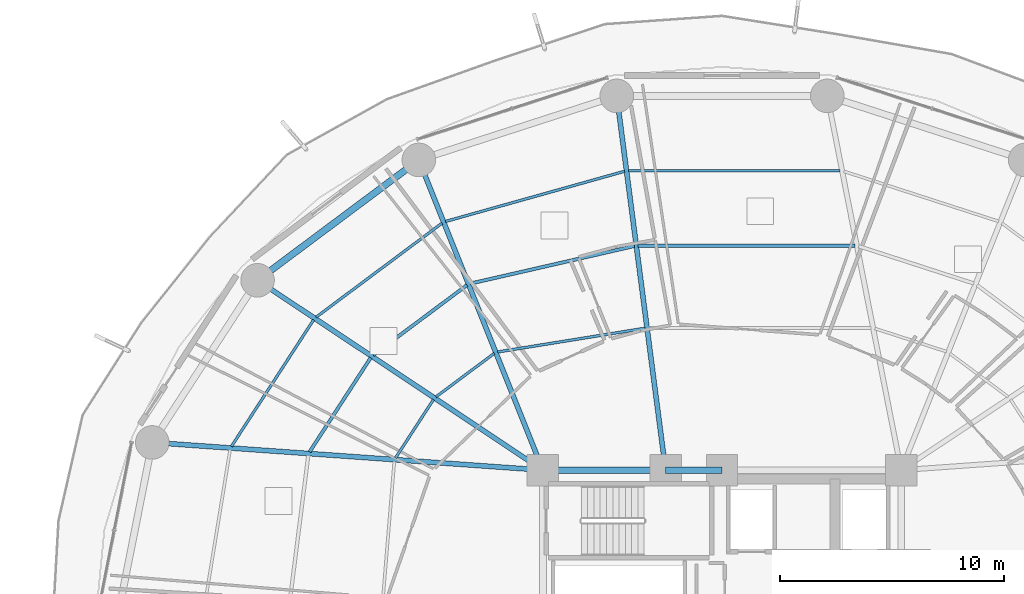
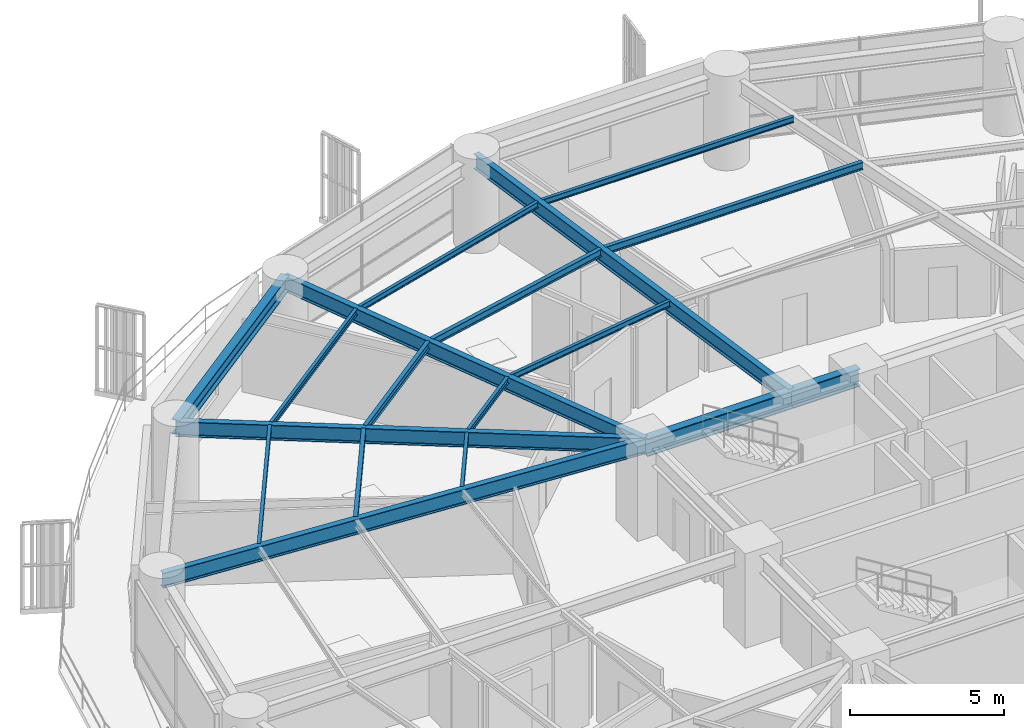
# One storey, part 16 of 31: 18 beams.
"""IFC4 building model written with IfcOpenShell, lengths in metres."""

import ifcopenshell
import ifcopenshell.guid

model = None  # the IFC model being written
_history = None  # IfcOwnerHistory: only IFC2X3 demands one
_inside = {}  # id of a spatial element -> (the spatial element, [elements in it])
_under = {}  # id of a project, library or spatial element -> (it, [spatial elements below it])
_declared = {}  # id of a project -> (the project, [libraries it declares])
_typed = {}  # id of a type object -> (the type object, [elements of that type])
_made_of = {}  # id of a material, layer set ... -> (it, [elements and type objects made of it])


def new_model(schema):
    """Start an empty IFC model of exactly this schema.

    Asked for "IFC4X3", IfcOpenShell would pick the latest addendum, in which some entities
    have other attributes; the version numbers below select the first issue.
    IFC2X3 requires an IfcOwnerHistory on every rooted entity: one is made here for all.
    """
    global model, _history
    if schema == "IFC4X3":
        model = ifcopenshell.file(schema_version=(4, 3, 0, 0))
    else:
        model = ifcopenshell.file(schema=schema)
    _inside.clear()
    _under.clear()
    _declared.clear()
    _typed.clear()
    _made_of.clear()
    _history = None
    if model.schema == "IFC2X3":
        org = make("IfcOrganization", Name="unknown")
        user = make(
            "IfcPersonAndOrganization",
            ThePerson=make("IfcPerson", FamilyName="unknown"),
            TheOrganization=org,
        )
        app = make(
            "IfcApplication",
            ApplicationDeveloper=org,
            Version="unknown",
            ApplicationFullName="unknown",
            ApplicationIdentifier="unknown",
        )
        _history = make(
            "IfcOwnerHistory",
            OwningUser=user,
            OwningApplication=app,
            ChangeAction="ADDED",
            CreationDate=0,
        )
    return model


def make(cls, **values):
    """One entity of the class cls with the attributes given. An attribute that is None is left unset."""
    return model.create_entity(
        cls, **{name: value for name, value in values.items() if value is not None}
    )


def rooted(cls, **values):
    """An entity with a GlobalId (a new one), such as an element, a storey or a relation."""
    return make(cls, GlobalId=ifcopenshell.guid.new(), OwnerHistory=_history, **values)


def si_unit(unit_type, name, prefix=None):
    """IfcSIUnit, for example si_unit("LENGTHUNIT", "METRE", prefix="MILLI")."""
    return make("IfcSIUnit", UnitType=unit_type, Prefix=prefix, Name=name)


def assignment(units):
    """IfcUnitAssignment: the units of a project."""
    return None if units is None else make("IfcUnitAssignment", Units=units)


def point(xyz):
    """IfcCartesianPoint."""
    return None if xyz is None else make("IfcCartesianPoint", Coordinates=xyz)


def direction(xyz):
    """IfcDirection."""
    return None if xyz is None else make("IfcDirection", DirectionRatios=xyz)


def frame(location, z_axis=None, x_axis=None):
    """IfcAxis2Placement3D, a coordinate frame: its origin and axes. An axis left out is left unset."""
    return make(
        "IfcAxis2Placement3D",
        Location=point(location),
        Axis=direction(z_axis),
        RefDirection=direction(x_axis),
    )


def frame_2d(location, x_axis=None):
    """IfcAxis2Placement2D, a coordinate frame in the plane: its origin and x axis."""
    return make(
        "IfcAxis2Placement2D", Location=point(location), RefDirection=direction(x_axis)
    )


def origin():
    """The frame at (0, 0, 0) with its axes left unset."""
    return frame((0.0, 0.0, 0.0))


def origin_2d():
    """The frame at (0, 0) in the plane with its x axis left unset."""
    return frame_2d((0.0, 0.0))


def place(relative_to, where):
    """IfcLocalPlacement: puts the frame where relative to a parent placement (None: the world)."""
    return make(
        "IfcLocalPlacement", PlacementRelTo=relative_to, RelativePlacement=where
    )


def context(
    kind, dimensions, precision=None, world=None, true_north=None, identifier=None
):
    """IfcGeometricRepresentationContext, for example the 3D "Model" context."""
    return make(
        "IfcGeometricRepresentationContext",
        ContextIdentifier=identifier,
        ContextType=kind,
        CoordinateSpaceDimension=dimensions,
        Precision=precision,
        WorldCoordinateSystem=world,
        TrueNorth=true_north,
    )


def subcontext(parent, identifier, kind, view, scale=None):
    """IfcGeometricRepresentationSubContext, for example "Body" below "Model"."""
    return make(
        "IfcGeometricRepresentationSubContext",
        ContextIdentifier=identifier,
        ContextType=kind,
        ParentContext=parent,
        TargetScale=scale,
        TargetView=view,
    )


def project(units=None, contexts=None):
    """IfcProject with its units and contexts."""
    return rooted(
        "IfcProject",
        Name="project",
        RepresentationContexts=contexts,
        UnitsInContext=assignment(units),
    )


def spatial(cls, under=None, at=None, **own):
    """A site, building, storey or space (cls), placed at a placement, below another one or the project."""
    s = rooted(cls, ObjectPlacement=at, **own)
    if under is not None:
        _under.setdefault(under.id(), (under, []))[1].append(s)
    return s


def profile(cls, at=None, kind="AREA", **sizes):
    """A parametric profile (cls). Its sizes go by their IFC names, for example OverallWidth=200.0."""
    return make(cls, ProfileType=kind, Position=at, **sizes)


def i_section(**sizes):
    """IfcIShapeProfileDef."""
    return profile("IfcIShapeProfileDef", **sizes)


def extrude(swept, where, along, depth):
    """IfcExtrudedAreaSolid: the profile swept, set in the frame where, extruded along a direction by depth."""
    return make(
        "IfcExtrudedAreaSolid",
        SweptArea=swept,
        Position=where,
        ExtrudedDirection=direction(along),
        Depth=depth,
    )


def shape(context_of_items, identifier, shape_type, items):
    """IfcShapeRepresentation: the items that make up one representation, for example the "Body"."""
    return make(
        "IfcShapeRepresentation",
        ContextOfItems=context_of_items,
        RepresentationIdentifier=identifier,
        RepresentationType=shape_type,
        Items=items,
    )


def material(Name=None, Category=None):
    """IfcMaterial."""
    return make("IfcMaterial", Name=Name, Category=Category)


def material_profile(
    of_material, cross_section, Name=None, Category=None, Priority=None
):
    """IfcMaterialProfile: a cross section and its material."""
    return make(
        "IfcMaterialProfile",
        Name=Name,
        Material=of_material,
        Profile=cross_section,
        Priority=Priority,
        Category=Category,
    )


def profile_set(profiles, Name=None, composite=None):
    """IfcMaterialProfileSet."""
    return make(
        "IfcMaterialProfileSet",
        Name=Name,
        MaterialProfiles=profiles,
        CompositeProfile=composite,
    )


def made_of(thing, what):
    """Note that an element or type object is made of a material, layer set ...; save() writes the relation."""
    if what is not None:
        _made_of.setdefault(what.id(), (what, []))[1].append(thing)
    return thing


def type_object(cls, material=None, **own):
    """A type object (cls), such as IfcWallType, which elements share."""
    return made_of(rooted(cls, **own), material)


def element(
    cls,
    number,
    at=None,
    inside=None,
    cuts=None,
    type_object=None,
    material=None,
    context=None,
    identifier="Body",
    shape_type=None,
    held_by="IfcProductDefinitionShape",
    body=None,
    shapes=None,
    **own,
):
    """One element of the class cls, such as IfcWall. Its Tag is "e" and its number.

    at: its placement. inside: the storey or other place that contains it. cuts: it is an
    opening in that element (IfcRelVoidsElement). A single representation is given by context,
    identifier, shape_type and body (its items); several are given by shapes. held_by: the class
    of the entity that holds the representations. save() writes the other relations.
    """
    e = rooted(cls, Tag="e%d" % number, ObjectPlacement=at, **own)
    if body is not None:
        shapes = [shape(context, identifier, shape_type, body)]
    if shapes is not None:
        e.Representation = make(held_by, Representations=shapes)
    if inside is not None:
        _inside.setdefault(inside.id(), (inside, []))[1].append(e)
    if cuts is not None:
        rooted(
            "IfcRelVoidsElement", RelatingBuildingElement=cuts, RelatedOpeningElement=e
        )
    if type_object is not None:
        _typed.setdefault(type_object.id(), (type_object, []))[1].append(e)
    return made_of(e, material)


def aggregate(whole, parts):
    """IfcRelAggregates: a whole, such as a stair, and the parts it consists of."""
    return rooted("IfcRelAggregates", RelatingObject=whole, RelatedObjects=parts)


def save(model, path):
    """Write the relations noted so far, then the file.

    IfcRelAggregates (storeys below a building ...), IfcRelContainedInSpatialStructure (elements
    in a storey), IfcRelDefinesByType, IfcRelAssociatesMaterial and IfcRelDeclares: one each for
    every whole, place, type object, material and project.
    """
    for whole, parts in _under.values():
        aggregate(whole, parts)
    for where, things in _inside.values():
        rooted(
            "IfcRelContainedInSpatialStructure",
            RelatedElements=things,
            RelatingStructure=where,
        )
    for kind, things in _typed.values():
        rooted("IfcRelDefinesByType", RelatedObjects=things, RelatingType=kind)
    for what, things in _made_of.values():
        rooted("IfcRelAssociatesMaterial", RelatedObjects=things, RelatingMaterial=what)
    for by, libraries in _declared.values():
        rooted("IfcRelDeclares", RelatingContext=by, RelatedDefinitions=libraries)
    model.write(path)


model = new_model("IFC4")

# Units and contexts
model_context = context("Model", 3, precision=1e-05, world=origin(), true_north=direction((0.0, 1.0)))
body_context = subcontext(model_context, "Body", "Model", "MODEL_VIEW")
ifc_project = project(units=[si_unit("LENGTHUNIT", "METRE"), si_unit("AREAUNIT", "SQUARE_METRE"), si_unit("VOLUMEUNIT", "CUBIC_METRE"), si_unit("PLANEANGLEUNIT", "RADIAN"), si_unit("MASSUNIT", "GRAM", prefix="KILO")], contexts=[model_context])

# Site, building, storey
site_placement = place(None, origin())
site = spatial("IfcSite", under=ifc_project, at=site_placement, CompositionType="ELEMENT")
building_placement = place(site_placement, origin())
building = spatial("IfcBuilding", under=site, at=building_placement, Name="Kelanora Arch Commons", CompositionType="ELEMENT")
storey_placement = place(building_placement, frame((0.0, 0.0, 63.75)))
storey = spatial("IfcBuildingStorey", under=building, at=storey_placement, Name="L16", CompositionType="ELEMENT", Elevation=63.75)

# Beams
ifc_material = material(Name="Steel S355", Category="steel")
ifc_material_profile_1 = material_profile(ifc_material, i_section(OverallWidth=0.300048828125, OverallDepth=0.699951171875, WebThickness=0.01708984375, FlangeThickness=0.031982421875, FilletRadius=0.027099609375, at=origin_2d()), Name="HEB700")
ifc_profile_set_1 = profile_set([ifc_material_profile_1], Name="Steel S355")
beam_type_1 = type_object("IfcBeamType", Name="BM-CORE-HDR", PredefinedType="BEAM", material=ifc_profile_set_1)
beam_1_placement = place(storey_placement, frame((74.0, 65.0, 3.139892578125), z_axis=(-1.0, 0.0, 0.0), x_axis=(0.0, -1.0, 0.0)))
element("IfcBeam", 1, at=beam_1_placement, inside=storey, type_object=beam_type_1, Name="Core Header Beam 06 L16", PredefinedType="BEAM", context=body_context, shape_type="SweptSolid", body=[
    extrude(i_section(OverallWidth=0.300048828125, OverallDepth=0.699951171875, WebThickness=0.01708984375, FlangeThickness=0.031982421875, FilletRadius=0.027099609375, at=origin_2d()), origin(), (0.0, 0.0, 1.0), 2.52001953125),
])
beam_2_placement = place(storey_placement, frame((71.47998046875, 65.0, 3.139892578125), z_axis=(-1.0, 0.0, 0.0), x_axis=(0.0, -1.0, 0.0)))
element("IfcBeam", 2, at=beam_2_placement, inside=storey, type_object=beam_type_1, Name="Core Header Beam 07 L16", PredefinedType="BEAM", context=body_context, shape_type="SweptSolid", body=[
    extrude(i_section(OverallWidth=0.300048828125, OverallDepth=0.699951171875, WebThickness=0.01708984375, FlangeThickness=0.031982421875, FilletRadius=0.027099609375, at=origin_2d()), origin(), (0.0, 0.0, 1.0), 5.47998046875),
])
ifc_material_profile_2 = material_profile(ifc_material, i_section(OverallWidth=0.14990234375, OverallDepth=0.300048828125, WebThickness=0.007080078125, FlangeThickness=0.0107421875, FilletRadius=0.014892578125, at=origin_2d()), Name="IPE300")
ifc_profile_set_2 = profile_set([ifc_material_profile_2], Name="Steel S355")
beam_type_2 = type_object("IfcBeamType", Name="BM-JST-01", PredefinedType="JOIST", material=ifc_profile_set_2)
beam_3_placement = place(storey_placement, frame((79.936279296875, 75.028564453125, 3.340087890625), z_axis=(-1.0, 0.0, 0.0), x_axis=(0.0, -1.0, 0.0)))
element("IfcBeam", 3, at=beam_3_placement, inside=storey, type_object=beam_type_2, Name="Secondary Chord Joist BJB-08 L16", PredefinedType="JOIST", context=body_context, shape_type="SweptSolid", body=[
    extrude(i_section(OverallWidth=0.14990234375, OverallDepth=0.300048828125, WebThickness=0.007080078125, FlangeThickness=0.0107421875, FilletRadius=0.014892578125, at=origin_2d()), origin(), (0.0, 0.0, 1.0), 9.6806640625),
])
beam_4_placement = place(storey_placement, frame((70.087646484375, 75.009521484375, 3.340087890625), z_axis=(-0.974770159254, -0.223210968877, 0.0), x_axis=(0.223210968877, -0.974770159254, 0.0)))
element("IfcBeam", 4, at=beam_4_placement, inside=storey, type_object=beam_type_2, Name="Secondary Chord Joist BJB-10 L16", PredefinedType="JOIST", context=body_context, shape_type="SweptSolid", body=[
    extrude(i_section(OverallWidth=0.14990234375, OverallDepth=0.300048828125, WebThickness=0.007080078125, FlangeThickness=0.0107421875, FilletRadius=0.014892578125, at=origin_2d()), origin(), (0.0, 0.0, 1.0), 7.5185546875),
])
beam_5_placement = place(storey_placement, frame((62.60791015625, 73.261474609375, 3.340087890625), z_axis=(-0.801478251559, -0.598023922831, 0.0), x_axis=(0.598023922831, -0.801478251559, 0.0)))
element("IfcBeam", 5, at=beam_5_placement, inside=storey, type_object=beam_type_2, Name="Secondary Chord Joist BJB-12 L16", PredefinedType="JOIST", context=body_context, shape_type="SweptSolid", body=[
    extrude(i_section(OverallWidth=0.14990234375, OverallDepth=0.300048828125, WebThickness=0.007080078125, FlangeThickness=0.0107421875, FilletRadius=0.014892578125, at=origin_2d()), origin(), (0.0, 0.0, 1.0), 5.223388671875),
])
beam_6_placement = place(storey_placement, frame((58.306884765625, 70.015625, 3.340087890625), z_axis=(-0.544551588245, -0.838727350061, 0.0), x_axis=(0.838727350061, -0.544551588245, 0.0)))
element("IfcBeam", 6, at=beam_6_placement, inside=storey, type_object=beam_type_2, Name="Secondary Chord Joist BJB-14 L16", PredefinedType="JOIST", context=body_context, shape_type="SweptSolid", body=[
    extrude(i_section(OverallWidth=0.14990234375, OverallDepth=0.300048828125, WebThickness=0.007080078125, FlangeThickness=0.0107421875, FilletRadius=0.014892578125, at=origin_2d()), origin(), (0.0, 0.0, 1.0), 5.010986328125),
])
ifc_material_profile_3 = material_profile(ifc_material, i_section(OverallWidth=0.1201171875, OverallDepth=0.239990234375, WebThickness=0.006103515625, FlangeThickness=0.009765625, FilletRadius=0.014892578125, at=origin_2d()), Name="IPE240")
ifc_profile_set_3 = profile_set([ifc_material_profile_3], Name="Steel S355")
beam_type_3 = type_object("IfcBeamType", Name="BM-JST-02", PredefinedType="JOIST", material=ifc_profile_set_3)
beam_7_placement = place(storey_placement, frame((79.27685546875, 78.371337890625, 3.3701171875), z_axis=(-1.0, 0.0, 0.0), x_axis=(0.0, -1.0, 0.0)))
element("IfcBeam", 7, at=beam_7_placement, inside=storey, type_object=beam_type_3, Name="Secondary Chord Joist BJC-08 L16", PredefinedType="JOIST", context=body_context, shape_type="SweptSolid", body=[
    extrude(i_section(OverallWidth=0.1201171875, OverallDepth=0.239990234375, WebThickness=0.006103515625, FlangeThickness=0.009765625, FilletRadius=0.014892578125, at=origin_2d()), origin(), (0.0, 0.0, 1.0), 9.457763671875),
])
beam_8_placement = place(storey_placement, frame((70.56689453125, 71.337890625, 3.3701171875), z_axis=(-0.987306715654, -0.158825215959, 0.0), x_axis=(0.158825215959, -0.987306715654, 0.0)))
element("IfcBeam", 8, at=beam_8_placement, inside=storey, type_object=beam_type_3, Name="Secondary Chord Joist BJA-10 L16", PredefinedType="JOIST", context=body_context, shape_type="SweptSolid", body=[
    extrude(i_section(OverallWidth=0.1201171875, OverallDepth=0.239990234375, WebThickness=0.006103515625, FlangeThickness=0.009765625, FilletRadius=0.014892578125, at=origin_2d()), origin(), (0.0, 0.0, 1.0), 6.6728515625),
])
beam_9_placement = place(storey_placement, frame((69.652099609375, 78.348388671875, 3.3701171875), z_axis=(-0.962914880978, -0.269805359456, 0.0), x_axis=(0.269805359456, -0.962914880978, 0.0)))
element("IfcBeam", 9, at=beam_9_placement, inside=storey, type_object=beam_type_3, Name="Secondary Chord Joist BJC-10 L16", PredefinedType="JOIST", context=body_context, shape_type="SweptSolid", body=[
    extrude(i_section(OverallWidth=0.1201171875, OverallDepth=0.239990234375, WebThickness=0.006103515625, FlangeThickness=0.009765625, FilletRadius=0.014892578125, at=origin_2d()), origin(), (0.0, 0.0, 1.0), 8.310302734375),
])
beam_10_placement = place(storey_placement, frame((63.82666015625, 70.213623046875, 3.3701171875), z_axis=(-0.801513822608, -0.59797624716, 0.0), x_axis=(0.59797624716, -0.801513822608, 0.0)))
element("IfcBeam", 10, at=beam_10_placement, inside=storey, type_object=beam_type_3, Name="Secondary Chord Joist BJA-12 L16", PredefinedType="JOIST", context=body_context, shape_type="SweptSolid", body=[
    extrude(i_section(OverallWidth=0.1201171875, OverallDepth=0.239990234375, WebThickness=0.006103515625, FlangeThickness=0.009765625, FilletRadius=0.014892578125, at=origin_2d()), origin(), (0.0, 0.0, 1.0), 3.245849609375),
])
beam_11_placement = place(storey_placement, frame((61.5, 76.0322265625, 3.3701171875), z_axis=(-0.80149131963, -0.598006408459, 0.0), x_axis=(0.598006408459, -0.80149131963, 0.0)))
element("IfcBeam", 11, at=beam_11_placement, inside=storey, type_object=beam_type_3, Name="Secondary Chord Joist BJC-12 L16", PredefinedType="JOIST", context=body_context, shape_type="SweptSolid", body=[
    extrude(i_section(OverallWidth=0.1201171875, OverallDepth=0.239990234375, WebThickness=0.006103515625, FlangeThickness=0.009765625, FilletRadius=0.014892578125, at=origin_2d()), origin(), (0.0, 0.0, 1.0), 7.021240234375),
])
beam_12_placement = place(storey_placement, frame((61.11083984375, 68.150390625, 3.3701171875), z_axis=(-0.544591105858, -0.838701691557, 0.0), x_axis=(0.838701691557, -0.544591105858, 0.0)))
element("IfcBeam", 12, at=beam_12_placement, inside=storey, type_object=beam_type_3, Name="Secondary Chord Joist BJA-14 L16", PredefinedType="JOIST", context=body_context, shape_type="SweptSolid", body=[
    extrude(i_section(OverallWidth=0.1201171875, OverallDepth=0.239990234375, WebThickness=0.006103515625, FlangeThickness=0.009765625, FilletRadius=0.014892578125, at=origin_2d()), origin(), (0.0, 0.0, 1.0), 3.111328125),
])
beam_13_placement = place(storey_placement, frame((55.758056640625, 71.711181640625, 3.3701171875), z_axis=(-0.544550165372, -0.838728273873, 0.0), x_axis=(0.838728273873, -0.544550165372, 0.0)))
element("IfcBeam", 13, at=beam_13_placement, inside=storey, type_object=beam_type_3, Name="Secondary Chord Joist BJC-14 L16", PredefinedType="JOIST", context=body_context, shape_type="SweptSolid", body=[
    extrude(i_section(OverallWidth=0.1201171875, OverallDepth=0.239990234375, WebThickness=0.006103515625, FlangeThickness=0.009765625, FilletRadius=0.014892578125, at=origin_2d()), origin(), (0.0, 0.0, 1.0), 6.738037109375),
])
ifc_material_profile_4 = material_profile(ifc_material, i_section(OverallWidth=0.219970703125, OverallDepth=0.60009765625, WebThickness=0.011962890625, FlangeThickness=0.01904296875, FilletRadius=0.02392578125, at=origin_2d()), Name="IPE600")
ifc_profile_set_4 = profile_set([ifc_material_profile_4], Name="Steel S355")
beam_type_4 = type_object("IfcBeamType", Name="BM-RAD-Z1", PredefinedType="BEAM", material=ifc_profile_set_4)
beam_14_placement = place(storey_placement, frame((71.47998046875, 65.0, 3.18994140625), z_axis=(-0.129471691865, 0.991583118556, 0.0), x_axis=(-0.991583118556, -0.129471691865, 0.0)))
element("IfcBeam", 14, at=beam_14_placement, inside=storey, type_object=beam_type_4, Name="Radial Floor Girder BR-10 L16", PredefinedType="BEAM", context=body_context, shape_type="SweptSolid", body=[
    extrude(i_section(OverallWidth=0.219970703125, OverallDepth=0.60009765625, WebThickness=0.011962890625, FlangeThickness=0.01904296875, FilletRadius=0.02392578125, at=origin_2d()), origin(), (0.0, 0.0, 1.0), 16.85595703125),
])
beam_15_placement = place(storey_placement, frame((66.0, 65.0, 3.18994140625), z_axis=(-0.371300398117, 0.928512797089, 0.0), x_axis=(-0.928512797089, -0.371300398117, 0.0)))
element("IfcBeam", 15, at=beam_15_placement, inside=storey, type_object=beam_type_4, Name="Radial Floor Girder BR-12 L16", PredefinedType="BEAM", context=body_context, shape_type="SweptSolid", body=[
    extrude(i_section(OverallWidth=0.219970703125, OverallDepth=0.60009765625, WebThickness=0.011962890625, FlangeThickness=0.01904296875, FilletRadius=0.02392578125, at=origin_2d()), origin(), (0.0, 0.0, 1.0), 14.920654296875),
])
beam_16_placement = place(storey_placement, frame((66.0, 65.0, 3.18994140625), z_axis=(-0.832592187754, 0.553886494591, 0.0), x_axis=(-0.553886494591, -0.832592187754, 0.0)))
element("IfcBeam", 16, at=beam_16_placement, inside=storey, type_object=beam_type_4, Name="Radial Floor Girder BR-14 L16", PredefinedType="BEAM", context=body_context, shape_type="SweptSolid", body=[
    extrude(i_section(OverallWidth=0.219970703125, OverallDepth=0.60009765625, WebThickness=0.011962890625, FlangeThickness=0.01904296875, FilletRadius=0.02392578125, at=origin_2d()), origin(), (0.0, 0.0, 1.0), 15.306884765625),
])
beam_17_placement = place(storey_placement, frame((66.0, 65.0, 3.18994140625), z_axis=(-0.997500683472, 0.070656821848, 0.0), x_axis=(-0.070656821848, -0.997500683472, 0.0)))
element("IfcBeam", 17, at=beam_17_placement, inside=storey, type_object=beam_type_4, Name="Radial Floor Girder BR-16 L16", PredefinedType="BEAM", context=body_context, shape_type="SweptSolid", body=[
    extrude(i_section(OverallWidth=0.219970703125, OverallDepth=0.60009765625, WebThickness=0.011962890625, FlangeThickness=0.01904296875, FilletRadius=0.02392578125, at=origin_2d()), origin(), (0.0, 0.0, 1.0), 17.49072265625),
])
ifc_material_profile_5 = material_profile(ifc_material, i_section(OverallWidth=0.300048828125, OverallDepth=0.60009765625, WebThickness=0.015380859375, FlangeThickness=0.030029296875, FilletRadius=0.027099609375, at=origin_2d()), Name="HEB600")
ifc_profile_set_5 = profile_set([ifc_material_profile_5], Name="Steel S355")
beam_type_5 = type_object("IfcBeamType", Name="BM-SPN-Z1", PredefinedType="SPANDREL", material=ifc_profile_set_5)
beam_18_placement = place(storey_placement, frame((60.4599609375, 78.85400390625, 3.18994140625), z_axis=(-0.801467504127, -0.598038326388, 0.0), x_axis=(0.598038326388, -0.801467504127, 0.0)))
element("IfcBeam", 18, at=beam_18_placement, inside=storey, type_object=beam_type_5, Name="Perimeter Spandrel Beam BS-12 L16", PredefinedType="SPANDREL", context=body_context, shape_type="SweptSolid", body=[
    extrude(i_section(OverallWidth=0.300048828125, OverallDepth=0.60009765625, WebThickness=0.015380859375, FlangeThickness=0.030029296875, FilletRadius=0.027099609375, at=origin_2d()), origin(), (0.0, 0.0, 1.0), 8.989013671875),
])

save(model, "model.ifc")
